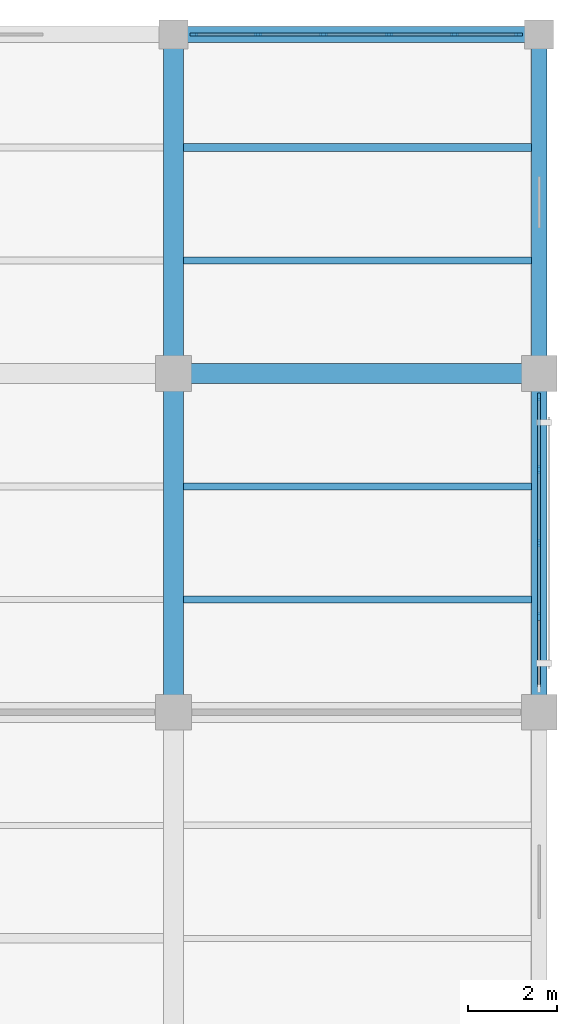
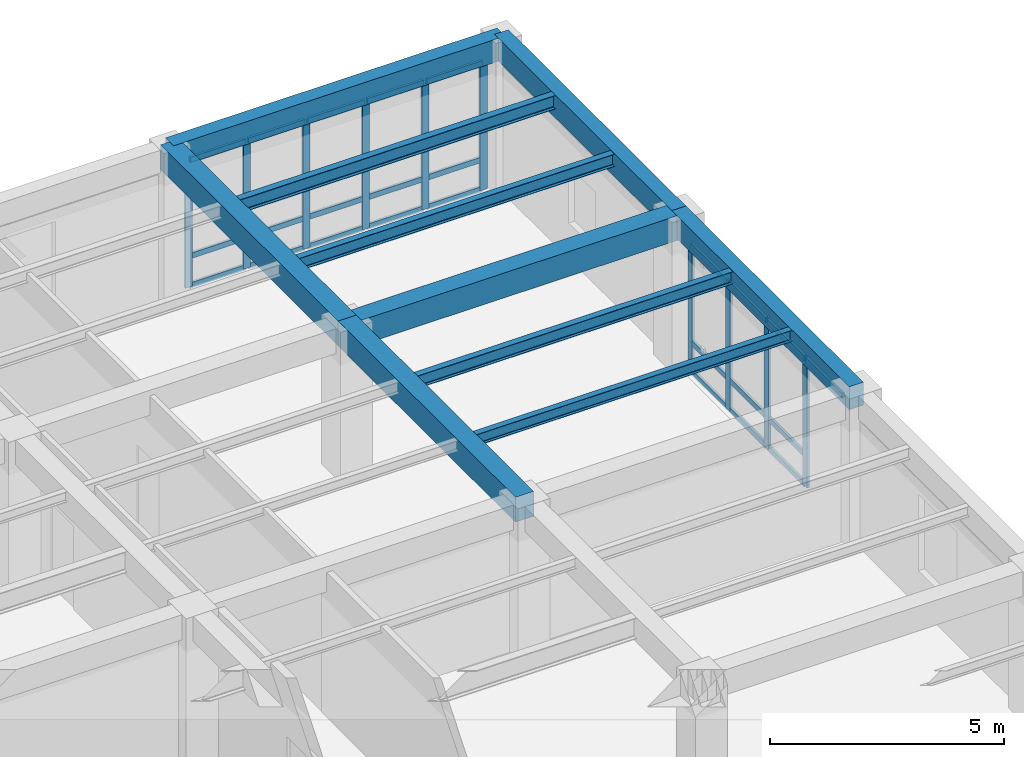
# One storey, part 5 of 13: 35 members, 10 beams, 2 elements without a shape of their own.
"""IFC4 building model written with IfcOpenShell, lengths in metres."""

import ifcopenshell
import ifcopenshell.guid

model = None  # the IFC model being written
_history = None  # IfcOwnerHistory: only IFC2X3 demands one
_inside = {}  # id of a spatial element -> (the spatial element, [elements in it])
_under = {}  # id of a project, library or spatial element -> (it, [spatial elements below it])
_declared = {}  # id of a project -> (the project, [libraries it declares])
_typed = {}  # id of a type object -> (the type object, [elements of that type])
_made_of = {}  # id of a material, layer set ... -> (it, [elements and type objects made of it])


def new_model(schema):
    """Start an empty IFC model of exactly this schema.

    Asked for "IFC4X3", IfcOpenShell would pick the latest addendum, in which some entities
    have other attributes; the version numbers below select the first issue.
    IFC2X3 requires an IfcOwnerHistory on every rooted entity: one is made here for all.
    """
    global model, _history
    if schema == "IFC4X3":
        model = ifcopenshell.file(schema_version=(4, 3, 0, 0))
    else:
        model = ifcopenshell.file(schema=schema)
    _inside.clear()
    _under.clear()
    _declared.clear()
    _typed.clear()
    _made_of.clear()
    _history = None
    if model.schema == "IFC2X3":
        org = make("IfcOrganization", Name="unknown")
        user = make(
            "IfcPersonAndOrganization",
            ThePerson=make("IfcPerson", FamilyName="unknown"),
            TheOrganization=org,
        )
        app = make(
            "IfcApplication",
            ApplicationDeveloper=org,
            Version="unknown",
            ApplicationFullName="unknown",
            ApplicationIdentifier="unknown",
        )
        _history = make(
            "IfcOwnerHistory",
            OwningUser=user,
            OwningApplication=app,
            ChangeAction="ADDED",
            CreationDate=0,
        )
    return model


def make(cls, **values):
    """One entity of the class cls with the attributes given. An attribute that is None is left unset."""
    return model.create_entity(
        cls, **{name: value for name, value in values.items() if value is not None}
    )


def rooted(cls, **values):
    """An entity with a GlobalId (a new one), such as an element, a storey or a relation."""
    return make(cls, GlobalId=ifcopenshell.guid.new(), OwnerHistory=_history, **values)


def si_unit(unit_type, name, prefix=None):
    """IfcSIUnit, for example si_unit("LENGTHUNIT", "METRE", prefix="MILLI")."""
    return make("IfcSIUnit", UnitType=unit_type, Prefix=prefix, Name=name)


def assignment(units):
    """IfcUnitAssignment: the units of a project."""
    return None if units is None else make("IfcUnitAssignment", Units=units)


def point(xyz):
    """IfcCartesianPoint."""
    return None if xyz is None else make("IfcCartesianPoint", Coordinates=xyz)


def direction(xyz):
    """IfcDirection."""
    return None if xyz is None else make("IfcDirection", DirectionRatios=xyz)


def frame(location, z_axis=None, x_axis=None):
    """IfcAxis2Placement3D, a coordinate frame: its origin and axes. An axis left out is left unset."""
    return make(
        "IfcAxis2Placement3D",
        Location=point(location),
        Axis=direction(z_axis),
        RefDirection=direction(x_axis),
    )


def frame_2d(location, x_axis=None):
    """IfcAxis2Placement2D, a coordinate frame in the plane: its origin and x axis."""
    return make(
        "IfcAxis2Placement2D", Location=point(location), RefDirection=direction(x_axis)
    )


def origin():
    """The frame at (0, 0, 0) with its axes left unset."""
    return frame((0.0, 0.0, 0.0))


def origin_2d():
    """The frame at (0, 0) in the plane with its x axis left unset."""
    return frame_2d((0.0, 0.0))


def place(relative_to, where):
    """IfcLocalPlacement: puts the frame where relative to a parent placement (None: the world)."""
    return make(
        "IfcLocalPlacement", PlacementRelTo=relative_to, RelativePlacement=where
    )


def context(
    kind, dimensions, precision=None, world=None, true_north=None, identifier=None
):
    """IfcGeometricRepresentationContext, for example the 3D "Model" context."""
    return make(
        "IfcGeometricRepresentationContext",
        ContextIdentifier=identifier,
        ContextType=kind,
        CoordinateSpaceDimension=dimensions,
        Precision=precision,
        WorldCoordinateSystem=world,
        TrueNorth=true_north,
    )


def subcontext(parent, identifier, kind, view, scale=None):
    """IfcGeometricRepresentationSubContext, for example "Body" below "Model"."""
    return make(
        "IfcGeometricRepresentationSubContext",
        ContextIdentifier=identifier,
        ContextType=kind,
        ParentContext=parent,
        TargetScale=scale,
        TargetView=view,
    )


def project(units=None, contexts=None):
    """IfcProject with its units and contexts."""
    return rooted(
        "IfcProject",
        Name="project",
        RepresentationContexts=contexts,
        UnitsInContext=assignment(units),
    )


def spatial(cls, under=None, at=None, **own):
    """A site, building, storey or space (cls), placed at a placement, below another one or the project."""
    s = rooted(cls, ObjectPlacement=at, **own)
    if under is not None:
        _under.setdefault(under.id(), (under, []))[1].append(s)
    return s


def profile(cls, at=None, kind="AREA", **sizes):
    """A parametric profile (cls). Its sizes go by their IFC names, for example OverallWidth=200.0."""
    return make(cls, ProfileType=kind, Position=at, **sizes)


def rectangle(**sizes):
    """IfcRectangleProfileDef."""
    return profile("IfcRectangleProfileDef", **sizes)


def i_section(**sizes):
    """IfcIShapeProfileDef."""
    return profile("IfcIShapeProfileDef", **sizes)


def extrude(swept, where, along, depth):
    """IfcExtrudedAreaSolid: the profile swept, set in the frame where, extruded along a direction by depth."""
    return make(
        "IfcExtrudedAreaSolid",
        SweptArea=swept,
        Position=where,
        ExtrudedDirection=direction(along),
        Depth=depth,
    )


def shape(context_of_items, identifier, shape_type, items):
    """IfcShapeRepresentation: the items that make up one representation, for example the "Body"."""
    return make(
        "IfcShapeRepresentation",
        ContextOfItems=context_of_items,
        RepresentationIdentifier=identifier,
        RepresentationType=shape_type,
        Items=items,
    )


def material(Name=None, Category=None):
    """IfcMaterial."""
    return make("IfcMaterial", Name=Name, Category=Category)


def material_profile(
    of_material, cross_section, Name=None, Category=None, Priority=None
):
    """IfcMaterialProfile: a cross section and its material."""
    return make(
        "IfcMaterialProfile",
        Name=Name,
        Material=of_material,
        Profile=cross_section,
        Priority=Priority,
        Category=Category,
    )


def profile_set(profiles, Name=None, composite=None):
    """IfcMaterialProfileSet."""
    return make(
        "IfcMaterialProfileSet",
        Name=Name,
        MaterialProfiles=profiles,
        CompositeProfile=composite,
    )


def made_of(thing, what):
    """Note that an element or type object is made of a material, layer set ...; save() writes the relation."""
    if what is not None:
        _made_of.setdefault(what.id(), (what, []))[1].append(thing)
    return thing


def type_object(cls, material=None, **own):
    """A type object (cls), such as IfcWallType, which elements share."""
    return made_of(rooted(cls, **own), material)


def element(
    cls,
    number,
    at=None,
    inside=None,
    cuts=None,
    type_object=None,
    material=None,
    context=None,
    identifier="Body",
    shape_type=None,
    held_by="IfcProductDefinitionShape",
    body=None,
    shapes=None,
    **own,
):
    """One element of the class cls, such as IfcWall. Its Tag is "e" and its number.

    at: its placement. inside: the storey or other place that contains it. cuts: it is an
    opening in that element (IfcRelVoidsElement). A single representation is given by context,
    identifier, shape_type and body (its items); several are given by shapes. held_by: the class
    of the entity that holds the representations. save() writes the other relations.
    """
    e = rooted(cls, Tag="e%d" % number, ObjectPlacement=at, **own)
    if body is not None:
        shapes = [shape(context, identifier, shape_type, body)]
    if shapes is not None:
        e.Representation = make(held_by, Representations=shapes)
    if inside is not None:
        _inside.setdefault(inside.id(), (inside, []))[1].append(e)
    if cuts is not None:
        rooted(
            "IfcRelVoidsElement", RelatingBuildingElement=cuts, RelatedOpeningElement=e
        )
    if type_object is not None:
        _typed.setdefault(type_object.id(), (type_object, []))[1].append(e)
    return made_of(e, material)


def aggregate(whole, parts):
    """IfcRelAggregates: a whole, such as a stair, and the parts it consists of."""
    return rooted("IfcRelAggregates", RelatingObject=whole, RelatedObjects=parts)


def save(model, path):
    """Write the relations noted so far, then the file.

    IfcRelAggregates (storeys below a building ...), IfcRelContainedInSpatialStructure (elements
    in a storey), IfcRelDefinesByType, IfcRelAssociatesMaterial and IfcRelDeclares: one each for
    every whole, place, type object, material and project.
    """
    for whole, parts in _under.values():
        aggregate(whole, parts)
    for where, things in _inside.values():
        rooted(
            "IfcRelContainedInSpatialStructure",
            RelatedElements=things,
            RelatingStructure=where,
        )
    for kind, things in _typed.values():
        rooted("IfcRelDefinesByType", RelatedObjects=things, RelatingType=kind)
    for what, things in _made_of.values():
        rooted("IfcRelAssociatesMaterial", RelatedObjects=things, RelatingMaterial=what)
    for by, libraries in _declared.values():
        rooted("IfcRelDeclares", RelatingContext=by, RelatedDefinitions=libraries)
    model.write(path)


model = new_model("IFC4")

# Units and contexts
model_context = context("Model", 3, precision=1e-05, world=origin(), true_north=direction((0.0, 1.0)))
body_context = subcontext(model_context, "Body", "Model", "MODEL_VIEW")
ifc_project = project(units=[si_unit("LENGTHUNIT", "METRE"), si_unit("AREAUNIT", "SQUARE_METRE"), si_unit("VOLUMEUNIT", "CUBIC_METRE"), si_unit("PLANEANGLEUNIT", "RADIAN"), si_unit("MASSUNIT", "GRAM", prefix="KILO")], contexts=[model_context])

# Site, building, storey
site_placement = place(None, origin())
site = spatial("IfcSite", under=ifc_project, at=site_placement, CompositionType="ELEMENT")
building_placement = place(site_placement, origin())
building = spatial("IfcBuilding", under=site, at=building_placement, Name="Qandaris Square Conservatory and Botanical Centre", CompositionType="ELEMENT")
storey_placement = place(building_placement, frame((0.0, 0.0, 45.0)))
storey = spatial("IfcBuildingStorey", under=building, at=storey_placement, Name="L10", CompositionType="ELEMENT", Elevation=45.0)

# Beams
ifc_material_1 = material(Name="Steel S355", Category="steel")
ifc_material_profile_1 = material_profile(ifc_material_1, i_section(OverallWidth=0.14990234375, OverallDepth=0.300048828125, WebThickness=0.007080078125, FlangeThickness=0.0107421875, FilletRadius=0.014892578125, at=origin_2d()), Name="IPE 300")
ifc_profile_set_1 = profile_set([ifc_material_profile_1], Name="Steel S355")
beam_type_1 = type_object("IfcBeamType", Name="Composite Lab Joist IPE 300", PredefinedType="JOIST", material=ifc_profile_set_1)
beam_1_placement = place(storey_placement, frame((155.824951171875, 57.13330078125, 3.7900390625), z_axis=(1.0, 0.0, 0.0), x_axis=(0.0, 1.0, 0.0)))
element("IfcBeam", 1, at=beam_1_placement, inside=storey, type_object=beam_type_1, Name="L10 Composite Joist 2539", PredefinedType="JOIST", context=body_context, shape_type="SweptSolid", body=[
    extrude(i_section(OverallWidth=0.14990234375, OverallDepth=0.300048828125, WebThickness=0.007080078125, FlangeThickness=0.0107421875, FilletRadius=0.014892578125, at=origin_2d()), origin(), (0.0, 0.0, 1.0), 7.800048828125),
])
ifc_material_profile_2 = material_profile(ifc_material_1, i_section(OverallWidth=0.159912109375, OverallDepth=0.330078125, WebThickness=0.007568359375, FlangeThickness=0.011474609375, FilletRadius=0.01806640625, at=origin_2d()), Name="IPE 330")
ifc_profile_set_2 = profile_set([ifc_material_profile_2], Name="Steel S355")
beam_type_2 = type_object("IfcBeamType", Name="Composite Lab Joist IPE 330", PredefinedType="JOIST", material=ifc_profile_set_2)
for number, where, z_axis, x_axis, name in (
    (2, (155.824951171875, 59.666748046875, 3.77490234375), (1.0, 0.0, 0.0), (0.0, 1.0, 0.0), "L10 Composite Joist 2540"),
    (3, (155.824951171875, 64.7333984375, 3.77490234375), (1.0, 0.0, 0.0), (0.0, 1.0, 0.0), "L10 Composite Joist 2541"),
):
    element("IfcBeam", number, at=place(storey_placement, frame(where, z_axis=z_axis, x_axis=x_axis)), inside=storey, type_object=beam_type_2, Name=name, PredefinedType="JOIST", context=body_context, shape_type="SweptSolid", body=[
        extrude(i_section(OverallWidth=0.159912109375, OverallDepth=0.330078125, WebThickness=0.007568359375, FlangeThickness=0.011474609375, FilletRadius=0.01806640625, at=origin_2d()), origin(), (0.0, 0.0, 1.0), 7.800048828125),
    ])
ifc_material_profile_3 = material_profile(ifc_material_1, i_section(OverallWidth=0.169921875, OverallDepth=0.360107421875, WebThickness=0.008056640625, FlangeThickness=0.0126953125, FilletRadius=0.01806640625, at=origin_2d()), Name="IPE 360")
ifc_profile_set_3 = profile_set([ifc_material_profile_3], Name="Steel S355")
beam_type_3 = type_object("IfcBeamType", Name="Composite Lab Joist IPE 360", PredefinedType="JOIST", material=ifc_profile_set_3)
beam_2_placement = place(storey_placement, frame((155.824951171875, 67.2666015625, 3.760009765625), z_axis=(1.0, 0.0, 0.0), x_axis=(0.0, 1.0, 0.0)))
element("IfcBeam", 4, at=beam_2_placement, inside=storey, type_object=beam_type_3, Name="L10 Composite Joist 2542", PredefinedType="JOIST", context=body_context, shape_type="SweptSolid", body=[
    extrude(i_section(OverallWidth=0.169921875, OverallDepth=0.360107421875, WebThickness=0.008056640625, FlangeThickness=0.0126953125, FilletRadius=0.01806640625, at=origin_2d()), origin(), (0.0, 0.0, 1.0), 7.800048828125),
])

# Curtain wall, members
ifc_material_2 = material(Name="Anodised Aluminium", Category="aluminium")
curtain_wall_type_1 = type_object("IfcCurtainWallType", Name="Unitised Curtain Wall CW-4-660x335", PredefinedType="USERDEFINED", material=ifc_material_2)
curtain_wall_1_placement = place(storey_placement, origin())
curtain_wall_1 = element("IfcCurtainWall", 5, at=curtain_wall_1_placement, inside=storey, type_object=curtain_wall_type_1, Name="Curtain Wall CW-TWR-L10-2-6", ObjectType="GLAZED CURTAIN WALL", PredefinedType="USERDEFINED")
ifc_material_profile_4 = material_profile(ifc_material_2, rectangle(XDim=0.06494140625, YDim=0.179931640625, at=origin_2d()), Name="ALU-MUL 65x180")
ifc_profile_set_4 = profile_set([ifc_material_profile_4], Name="Anodised Aluminium")
member_type_1 = type_object("IfcMemberType", Name="Curtain Wall Mullion 65x180", PredefinedType="MULLION", material=ifc_profile_set_4)
member_1_placement = place(storey_placement, frame((163.800048828125, 56.75, 0.0), z_axis=(0.0, 0.0, 1.0), x_axis=(-1.0, 0.0, 0.0)))
member_1 = element("IfcMember", 6, at=member_1_placement, type_object=member_type_1, Name="CW-4-660x335 mullion 2", PredefinedType="MULLION", context=body_context, shape_type="SweptSolid", body=[
    extrude(rectangle(XDim=0.06494140625, YDim=0.179931640625, at=origin_2d()), origin(), (0.0, 0.0, 1.0), 3.35009765625),
])
member_2_placement = place(storey_placement, frame((163.800048828125, 58.39990234375, 0.0), z_axis=(0.0, 0.0, 1.0), x_axis=(-1.0, 0.0, 0.0)))
member_2 = element("IfcMember", 7, at=member_2_placement, type_object=member_type_1, Name="CW-4-660x335 mullion 3", PredefinedType="MULLION", context=body_context, shape_type="SweptSolid", body=[
    extrude(rectangle(XDim=0.06494140625, YDim=0.179931640625, at=origin_2d()), origin(), (0.0, 0.0, 1.0), 3.35009765625),
])
member_3_placement = place(storey_placement, frame((163.800048828125, 60.050048828125, 0.0), z_axis=(0.0, 0.0, 1.0), x_axis=(-1.0, 0.0, 0.0)))
member_3 = element("IfcMember", 8, at=member_3_placement, type_object=member_type_1, Name="CW-4-660x335 mullion 4", PredefinedType="MULLION", context=body_context, shape_type="SweptSolid", body=[
    extrude(rectangle(XDim=0.06494140625, YDim=0.179931640625, at=origin_2d()), origin(), (0.0, 0.0, 1.0), 3.35009765625),
])
member_4_placement = place(storey_placement, frame((163.800048828125, 61.66748046875, 0.0), z_axis=(0.0, 0.0, 1.0), x_axis=(-1.0, 0.0, 0.0)))
member_4 = element("IfcMember", 9, at=member_4_placement, type_object=member_type_1, Name="CW-4-660x335 mullion 5", PredefinedType="MULLION", context=body_context, shape_type="SweptSolid", body=[
    extrude(rectangle(XDim=0.06494140625, YDim=0.179931640625, at=origin_2d()), origin(), (0.0, 0.0, 1.0), 3.35009765625),
])

curtain_wall_type_2 = type_object("IfcCurtainWallType", Name="Unitised Curtain Wall CW-3-735x335", PredefinedType="USERDEFINED", material=ifc_material_2)
curtain_wall_2_placement = place(storey_placement, origin())
curtain_wall_2 = element("IfcCurtainWall", 10, at=curtain_wall_2_placement, inside=storey, type_object=curtain_wall_type_2, Name="Curtain Wall CW-TWR-L10-3-1", ObjectType="GLAZED CURTAIN WALL", PredefinedType="USERDEFINED")
member_5_placement = place(storey_placement, frame((163.342529296875, 69.800048828125, 0.0), z_axis=(0.0, 0.0, 1.0), x_axis=(0.0, -1.0, 0.0)))
member_5 = element("IfcMember", 11, at=member_5_placement, type_object=member_type_1, Name="CW-3-735x335 mullion 1", PredefinedType="MULLION", context=body_context, shape_type="SweptSolid", body=[
    extrude(rectangle(XDim=0.06494140625, YDim=0.179931640625, at=origin_2d()), origin(), (0.0, 0.0, 1.0), 3.35009765625),
])
member_6_placement = place(storey_placement, frame((161.905029296875, 69.800048828125, 0.0), z_axis=(0.0, 0.0, 1.0), x_axis=(0.0, -1.0, 0.0)))
member_6 = element("IfcMember", 12, at=member_6_placement, type_object=member_type_1, Name="CW-3-735x335 mullion 2", PredefinedType="MULLION", context=body_context, shape_type="SweptSolid", body=[
    extrude(rectangle(XDim=0.06494140625, YDim=0.179931640625, at=origin_2d()), origin(), (0.0, 0.0, 1.0), 3.35009765625),
])
member_7_placement = place(storey_placement, frame((160.43505859375, 69.800048828125, 0.0), z_axis=(0.0, 0.0, 1.0), x_axis=(0.0, -1.0, 0.0)))
member_7 = element("IfcMember", 13, at=member_7_placement, type_object=member_type_1, Name="CW-3-735x335 mullion 3", PredefinedType="MULLION", context=body_context, shape_type="SweptSolid", body=[
    extrude(rectangle(XDim=0.06494140625, YDim=0.179931640625, at=origin_2d()), origin(), (0.0, 0.0, 1.0), 3.35009765625),
])
member_8_placement = place(storey_placement, frame((158.965087890625, 69.800048828125, 0.0), z_axis=(0.0, 0.0, 1.0), x_axis=(0.0, -1.0, 0.0)))
member_8 = element("IfcMember", 14, at=member_8_placement, type_object=member_type_1, Name="CW-3-735x335 mullion 4", PredefinedType="MULLION", context=body_context, shape_type="SweptSolid", body=[
    extrude(rectangle(XDim=0.06494140625, YDim=0.179931640625, at=origin_2d()), origin(), (0.0, 0.0, 1.0), 3.35009765625),
])
member_9_placement = place(storey_placement, frame((157.4951171875, 69.800048828125, 0.0), z_axis=(0.0, 0.0, 1.0), x_axis=(0.0, -1.0, 0.0)))
member_9 = element("IfcMember", 15, at=member_9_placement, type_object=member_type_1, Name="CW-3-735x335 mullion 5", PredefinedType="MULLION", context=body_context, shape_type="SweptSolid", body=[
    extrude(rectangle(XDim=0.06494140625, YDim=0.179931640625, at=origin_2d()), origin(), (0.0, 0.0, 1.0), 3.35009765625),
])
member_10_placement = place(storey_placement, frame((156.0576171875, 69.800048828125, 0.0), z_axis=(0.0, 0.0, 1.0), x_axis=(0.0, -1.0, 0.0)))
member_10 = element("IfcMember", 16, at=member_10_placement, type_object=member_type_1, Name="CW-3-735x335 mullion 6", PredefinedType="MULLION", context=body_context, shape_type="SweptSolid", body=[
    extrude(rectangle(XDim=0.06494140625, YDim=0.179931640625, at=origin_2d()), origin(), (0.0, 0.0, 1.0), 3.35009765625),
])

# Member
ifc_material_profile_5 = material_profile(ifc_material_2, rectangle(XDim=0.06494140625, YDim=0.139892578125, at=origin_2d()), Name="ALU-TRN 65x140")
ifc_profile_set_5 = profile_set([ifc_material_profile_5], Name="Anodised Aluminium")
member_type_2 = type_object("IfcMemberType", Name="Curtain Wall Transom 65x140", PredefinedType="USERDEFINED", material=ifc_profile_set_5)
member_11_placement = place(storey_placement, frame((163.800048828125, 55.1650390625, 3.3173828125), z_axis=(0.0, 1.0, 0.0), x_axis=(-1.0, 0.0, 0.0)))
member_11 = element("IfcMember", 17, at=member_11_placement, type_object=member_type_2, Name="CW-4-660x335 transom 1.3", ObjectType="TRANSOM", PredefinedType="USERDEFINED", context=body_context, shape_type="SweptSolid", body=[
    extrude(rectangle(XDim=0.06494140625, YDim=0.139892578125, at=origin_2d()), origin(), (0.0, 0.0, 1.0), 1.552490234375),
])

member_12_placement = place(storey_placement, frame((163.800048828125, 56.782470703125, 0.032470703125), z_axis=(0.0, 1.0, 0.0), x_axis=(-1.0, 0.0, 0.0)))
member_12 = element("IfcMember", 18, at=member_12_placement, type_object=member_type_2, Name="CW-4-660x335 transom 2.1", ObjectType="TRANSOM", PredefinedType="USERDEFINED", context=body_context, shape_type="SweptSolid", body=[
    extrude(rectangle(XDim=0.06494140625, YDim=0.139892578125, at=origin_2d()), origin(), (0.0, 0.0, 1.0), 1.5849609375),
])

member_13_placement = place(storey_placement, frame((163.800048828125, 56.782470703125, 0.803955078125), z_axis=(0.0, 1.0, 0.0), x_axis=(-1.0, 0.0, 0.0)))
member_13 = element("IfcMember", 19, at=member_13_placement, type_object=member_type_2, Name="CW-4-660x335 transom 2.2", ObjectType="TRANSOM", PredefinedType="USERDEFINED", context=body_context, shape_type="SweptSolid", body=[
    extrude(rectangle(XDim=0.06494140625, YDim=0.139892578125, at=origin_2d()), origin(), (0.0, 0.0, 1.0), 1.5849609375),
])

member_14_placement = place(storey_placement, frame((163.800048828125, 56.782470703125, 3.3173828125), z_axis=(0.0, 1.0, 0.0), x_axis=(-1.0, 0.0, 0.0)))
member_14 = element("IfcMember", 20, at=member_14_placement, type_object=member_type_2, Name="CW-4-660x335 transom 2.3", ObjectType="TRANSOM", PredefinedType="USERDEFINED", context=body_context, shape_type="SweptSolid", body=[
    extrude(rectangle(XDim=0.06494140625, YDim=0.139892578125, at=origin_2d()), origin(), (0.0, 0.0, 1.0), 1.5849609375),
])

member_15_placement = place(storey_placement, frame((163.800048828125, 58.4326171875, 0.032470703125), z_axis=(0.0, 1.0, 0.0), x_axis=(-1.0, 0.0, 0.0)))
member_15 = element("IfcMember", 21, at=member_15_placement, type_object=member_type_2, Name="CW-4-660x335 transom 3.1", ObjectType="TRANSOM", PredefinedType="USERDEFINED", context=body_context, shape_type="SweptSolid", body=[
    extrude(rectangle(XDim=0.06494140625, YDim=0.139892578125, at=origin_2d()), origin(), (0.0, 0.0, 1.0), 1.5849609375),
])

member_16_placement = place(storey_placement, frame((163.800048828125, 58.4326171875, 0.803955078125), z_axis=(0.0, 1.0, 0.0), x_axis=(-1.0, 0.0, 0.0)))
member_16 = element("IfcMember", 22, at=member_16_placement, type_object=member_type_2, Name="CW-4-660x335 transom 3.2", ObjectType="TRANSOM", PredefinedType="USERDEFINED", context=body_context, shape_type="SweptSolid", body=[
    extrude(rectangle(XDim=0.06494140625, YDim=0.139892578125, at=origin_2d()), origin(), (0.0, 0.0, 1.0), 1.5849609375),
])

member_17_placement = place(storey_placement, frame((163.800048828125, 58.4326171875, 3.3173828125), z_axis=(0.0, 1.0, 0.0), x_axis=(-1.0, 0.0, 0.0)))
member_17 = element("IfcMember", 23, at=member_17_placement, type_object=member_type_2, Name="CW-4-660x335 transom 3.3", ObjectType="TRANSOM", PredefinedType="USERDEFINED", context=body_context, shape_type="SweptSolid", body=[
    extrude(rectangle(XDim=0.06494140625, YDim=0.139892578125, at=origin_2d()), origin(), (0.0, 0.0, 1.0), 1.5849609375),
])

member_18_placement = place(storey_placement, frame((163.800048828125, 60.08251953125, 0.032470703125), z_axis=(0.0, 1.0, 0.0), x_axis=(-1.0, 0.0, 0.0)))
member_18 = element("IfcMember", 24, at=member_18_placement, type_object=member_type_2, Name="CW-4-660x335 transom 4.1", ObjectType="TRANSOM", PredefinedType="USERDEFINED", context=body_context, shape_type="SweptSolid", body=[
    extrude(rectangle(XDim=0.06494140625, YDim=0.139892578125, at=origin_2d()), origin(), (0.0, 0.0, 1.0), 1.552490234375),
])

member_19_placement = place(storey_placement, frame((163.800048828125, 60.08251953125, 0.803955078125), z_axis=(0.0, 1.0, 0.0), x_axis=(-1.0, 0.0, 0.0)))
member_19 = element("IfcMember", 25, at=member_19_placement, type_object=member_type_2, Name="CW-4-660x335 transom 4.2", ObjectType="TRANSOM", PredefinedType="USERDEFINED", context=body_context, shape_type="SweptSolid", body=[
    extrude(rectangle(XDim=0.06494140625, YDim=0.139892578125, at=origin_2d()), origin(), (0.0, 0.0, 1.0), 1.552490234375),
])

member_20_placement = place(storey_placement, frame((163.800048828125, 60.08251953125, 3.3173828125), z_axis=(0.0, 1.0, 0.0), x_axis=(-1.0, 0.0, 0.0)))
member_20 = element("IfcMember", 26, at=member_20_placement, type_object=member_type_2, Name="CW-4-660x335 transom 4.3", ObjectType="TRANSOM", PredefinedType="USERDEFINED", context=body_context, shape_type="SweptSolid", body=[
    extrude(rectangle(XDim=0.06494140625, YDim=0.139892578125, at=origin_2d()), origin(), (0.0, 0.0, 1.0), 1.552490234375),
])

aggregate(curtain_wall_1, [member_1, member_2, member_3, member_4, member_11, member_12, member_13, member_14, member_15, member_16, member_17, member_18, member_19, member_20])

member_21_placement = place(storey_placement, frame((163.31005859375, 69.800048828125, 0.032470703125), z_axis=(-1.0, 0.0, 0.0), x_axis=(0.0, -1.0, 0.0)))
member_21 = element("IfcMember", 27, at=member_21_placement, type_object=member_type_2, Name="CW-3-735x335 transom 1.1", ObjectType="TRANSOM", PredefinedType="USERDEFINED", context=body_context, shape_type="SweptSolid", body=[
    extrude(rectangle(XDim=0.06494140625, YDim=0.139892578125, at=origin_2d()), origin(), (0.0, 0.0, 1.0), 1.37255859375),
])

member_22_placement = place(storey_placement, frame((163.31005859375, 69.800048828125, 0.803955078125), z_axis=(-1.0, 0.0, 0.0), x_axis=(0.0, -1.0, 0.0)))
member_22 = element("IfcMember", 28, at=member_22_placement, type_object=member_type_2, Name="CW-3-735x335 transom 1.2", ObjectType="TRANSOM", PredefinedType="USERDEFINED", context=body_context, shape_type="SweptSolid", body=[
    extrude(rectangle(XDim=0.06494140625, YDim=0.139892578125, at=origin_2d()), origin(), (0.0, 0.0, 1.0), 1.37255859375),
])

member_23_placement = place(storey_placement, frame((163.31005859375, 69.800048828125, 3.3173828125), z_axis=(-1.0, 0.0, 0.0), x_axis=(0.0, -1.0, 0.0)))
member_23 = element("IfcMember", 29, at=member_23_placement, type_object=member_type_2, Name="CW-3-735x335 transom 1.3", ObjectType="TRANSOM", PredefinedType="USERDEFINED", context=body_context, shape_type="SweptSolid", body=[
    extrude(rectangle(XDim=0.06494140625, YDim=0.139892578125, at=origin_2d()), origin(), (0.0, 0.0, 1.0), 1.37255859375),
])

member_24_placement = place(storey_placement, frame((161.87255859375, 69.800048828125, 0.032470703125), z_axis=(-1.0, 0.0, 0.0), x_axis=(0.0, -1.0, 0.0)))
member_24 = element("IfcMember", 30, at=member_24_placement, type_object=member_type_2, Name="CW-3-735x335 transom 2.1", ObjectType="TRANSOM", PredefinedType="USERDEFINED", context=body_context, shape_type="SweptSolid", body=[
    extrude(rectangle(XDim=0.06494140625, YDim=0.139892578125, at=origin_2d()), origin(), (0.0, 0.0, 1.0), 1.405029296875),
])

member_25_placement = place(storey_placement, frame((161.87255859375, 69.800048828125, 0.803955078125), z_axis=(-1.0, 0.0, 0.0), x_axis=(0.0, -1.0, 0.0)))
member_25 = element("IfcMember", 31, at=member_25_placement, type_object=member_type_2, Name="CW-3-735x335 transom 2.2", ObjectType="TRANSOM", PredefinedType="USERDEFINED", context=body_context, shape_type="SweptSolid", body=[
    extrude(rectangle(XDim=0.06494140625, YDim=0.139892578125, at=origin_2d()), origin(), (0.0, 0.0, 1.0), 1.405029296875),
])

member_26_placement = place(storey_placement, frame((161.87255859375, 69.800048828125, 3.3173828125), z_axis=(-1.0, 0.0, 0.0), x_axis=(0.0, -1.0, 0.0)))
member_26 = element("IfcMember", 32, at=member_26_placement, type_object=member_type_2, Name="CW-3-735x335 transom 2.3", ObjectType="TRANSOM", PredefinedType="USERDEFINED", context=body_context, shape_type="SweptSolid", body=[
    extrude(rectangle(XDim=0.06494140625, YDim=0.139892578125, at=origin_2d()), origin(), (0.0, 0.0, 1.0), 1.405029296875),
])

member_27_placement = place(storey_placement, frame((160.402587890625, 69.800048828125, 0.032470703125), z_axis=(-1.0, 0.0, 0.0), x_axis=(0.0, -1.0, 0.0)))
member_27 = element("IfcMember", 33, at=member_27_placement, type_object=member_type_2, Name="CW-3-735x335 transom 3.1", ObjectType="TRANSOM", PredefinedType="USERDEFINED", context=body_context, shape_type="SweptSolid", body=[
    extrude(rectangle(XDim=0.06494140625, YDim=0.139892578125, at=origin_2d()), origin(), (0.0, 0.0, 1.0), 1.405029296875),
])

member_28_placement = place(storey_placement, frame((160.402587890625, 69.800048828125, 0.803955078125), z_axis=(-1.0, 0.0, 0.0), x_axis=(0.0, -1.0, 0.0)))
member_28 = element("IfcMember", 34, at=member_28_placement, type_object=member_type_2, Name="CW-3-735x335 transom 3.2", ObjectType="TRANSOM", PredefinedType="USERDEFINED", context=body_context, shape_type="SweptSolid", body=[
    extrude(rectangle(XDim=0.06494140625, YDim=0.139892578125, at=origin_2d()), origin(), (0.0, 0.0, 1.0), 1.405029296875),
])

member_29_placement = place(storey_placement, frame((160.402587890625, 69.800048828125, 3.3173828125), z_axis=(-1.0, 0.0, 0.0), x_axis=(0.0, -1.0, 0.0)))
member_29 = element("IfcMember", 35, at=member_29_placement, type_object=member_type_2, Name="CW-3-735x335 transom 3.3", ObjectType="TRANSOM", PredefinedType="USERDEFINED", context=body_context, shape_type="SweptSolid", body=[
    extrude(rectangle(XDim=0.06494140625, YDim=0.139892578125, at=origin_2d()), origin(), (0.0, 0.0, 1.0), 1.405029296875),
])

member_30_placement = place(storey_placement, frame((158.9326171875, 69.800048828125, 0.032470703125), z_axis=(-1.0, 0.0, 0.0), x_axis=(0.0, -1.0, 0.0)))
member_30 = element("IfcMember", 36, at=member_30_placement, type_object=member_type_2, Name="CW-3-735x335 transom 4.1", ObjectType="TRANSOM", PredefinedType="USERDEFINED", context=body_context, shape_type="SweptSolid", body=[
    extrude(rectangle(XDim=0.06494140625, YDim=0.139892578125, at=origin_2d()), origin(), (0.0, 0.0, 1.0), 1.405029296875),
])

member_31_placement = place(storey_placement, frame((158.9326171875, 69.800048828125, 0.803955078125), z_axis=(-1.0, 0.0, 0.0), x_axis=(0.0, -1.0, 0.0)))
member_31 = element("IfcMember", 37, at=member_31_placement, type_object=member_type_2, Name="CW-3-735x335 transom 4.2", ObjectType="TRANSOM", PredefinedType="USERDEFINED", context=body_context, shape_type="SweptSolid", body=[
    extrude(rectangle(XDim=0.06494140625, YDim=0.139892578125, at=origin_2d()), origin(), (0.0, 0.0, 1.0), 1.405029296875),
])

member_32_placement = place(storey_placement, frame((158.9326171875, 69.800048828125, 3.3173828125), z_axis=(-1.0, 0.0, 0.0), x_axis=(0.0, -1.0, 0.0)))
member_32 = element("IfcMember", 38, at=member_32_placement, type_object=member_type_2, Name="CW-3-735x335 transom 4.3", ObjectType="TRANSOM", PredefinedType="USERDEFINED", context=body_context, shape_type="SweptSolid", body=[
    extrude(rectangle(XDim=0.06494140625, YDim=0.139892578125, at=origin_2d()), origin(), (0.0, 0.0, 1.0), 1.405029296875),
])

member_33_placement = place(storey_placement, frame((157.46240234375, 69.800048828125, 0.032470703125), z_axis=(-1.0, 0.0, 0.0), x_axis=(0.0, -1.0, 0.0)))
member_33 = element("IfcMember", 39, at=member_33_placement, type_object=member_type_2, Name="CW-3-735x335 transom 5.1", ObjectType="TRANSOM", PredefinedType="USERDEFINED", context=body_context, shape_type="SweptSolid", body=[
    extrude(rectangle(XDim=0.06494140625, YDim=0.139892578125, at=origin_2d()), origin(), (0.0, 0.0, 1.0), 1.372314453125),
])

member_34_placement = place(storey_placement, frame((157.46240234375, 69.800048828125, 0.803955078125), z_axis=(-1.0, 0.0, 0.0), x_axis=(0.0, -1.0, 0.0)))
member_34 = element("IfcMember", 40, at=member_34_placement, type_object=member_type_2, Name="CW-3-735x335 transom 5.2", ObjectType="TRANSOM", PredefinedType="USERDEFINED", context=body_context, shape_type="SweptSolid", body=[
    extrude(rectangle(XDim=0.06494140625, YDim=0.139892578125, at=origin_2d()), origin(), (0.0, 0.0, 1.0), 1.372314453125),
])

member_35_placement = place(storey_placement, frame((157.46240234375, 69.800048828125, 3.3173828125), z_axis=(-1.0, 0.0, 0.0), x_axis=(0.0, -1.0, 0.0)))
member_35 = element("IfcMember", 41, at=member_35_placement, type_object=member_type_2, Name="CW-3-735x335 transom 5.3", ObjectType="TRANSOM", PredefinedType="USERDEFINED", context=body_context, shape_type="SweptSolid", body=[
    extrude(rectangle(XDim=0.06494140625, YDim=0.139892578125, at=origin_2d()), origin(), (0.0, 0.0, 1.0), 1.372314453125),
])

aggregate(curtain_wall_2, [member_5, member_6, member_7, member_8, member_9, member_10, member_21, member_22, member_23, member_24, member_25, member_26, member_27, member_28, member_29, member_30, member_31, member_32, member_33, member_34, member_35])

# Beams
ifc_material_3 = material(Name="Concrete C50/60", Category="concrete")
ifc_material_profile_6 = material_profile(ifc_material_3, rectangle(XDim=0.35009765625, YDim=0.60009765625, at=origin_2d()), Name="RC-SP 350x600")
ifc_profile_set_6 = profile_set([ifc_material_profile_6], Name="Concrete C50/60")
beam_type_4 = type_object("IfcBeamType", Name="RC Edge Spandrel Beam 350x600", PredefinedType="SPANDREL", material=ifc_profile_set_6)
beam_3_placement = place(storey_placement, frame((155.60009765625, 69.800048828125, 3.64990234375), z_axis=(1.0, 0.0, 0.0), x_axis=(0.0, 1.0, 0.0)))
element("IfcBeam", 42, at=beam_3_placement, inside=storey, type_object=beam_type_4, Name="L10 Frame Beam 2462", PredefinedType="SPANDREL", context=body_context, shape_type="SweptSolid", body=[
    extrude(rectangle(XDim=0.35009765625, YDim=0.60009765625, at=origin_2d()), origin(), (0.0, 0.0, 1.0), 8.199951171875),
])
beam_4_placement = place(storey_placement, frame((163.800048828125, 54.60009765625, 3.64990234375), z_axis=(0.0, 1.0, 0.0), x_axis=(-1.0, 0.0, 0.0)))
element("IfcBeam", 43, at=beam_4_placement, inside=storey, type_object=beam_type_4, Name="L10 Frame Beam 2495", PredefinedType="SPANDREL", context=body_context, shape_type="SweptSolid", body=[
    extrude(rectangle(XDim=0.35009765625, YDim=0.60009765625, at=origin_2d()), origin(), (0.0, 0.0, 1.0), 7.599853515625),
])
beam_5_placement = place(storey_placement, frame((163.800048828125, 62.199951171875, 3.64990234375), z_axis=(0.0, 1.0, 0.0), x_axis=(-1.0, 0.0, 0.0)))
element("IfcBeam", 44, at=beam_5_placement, inside=storey, type_object=beam_type_4, Name="L10 Frame Beam 2496", PredefinedType="SPANDREL", context=body_context, shape_type="SweptSolid", body=[
    extrude(rectangle(XDim=0.35009765625, YDim=0.60009765625, at=origin_2d()), origin(), (0.0, 0.0, 1.0), 7.60009765625),
])
ifc_material_profile_7 = material_profile(ifc_material_3, rectangle(XDim=0.449951171875, YDim=0.64990234375, at=origin_2d()), Name="RC-BM 450x650")
ifc_profile_set_7 = profile_set([ifc_material_profile_7], Name="Concrete C50/60")
beam_type_5 = type_object("IfcBeamType", Name="RC Floor Girder 450x650", PredefinedType="BEAM", material=ifc_profile_set_7)
beam_6_placement = place(storey_placement, frame((155.60009765625, 62.199951171875, 3.625), z_axis=(1.0, 0.0, 0.0), x_axis=(0.0, 1.0, 0.0)))
element("IfcBeam", 45, at=beam_6_placement, inside=storey, type_object=beam_type_5, Name="L10 Frame Beam 2459", PredefinedType="BEAM", context=body_context, shape_type="SweptSolid", body=[
    extrude(rectangle(XDim=0.449951171875, YDim=0.64990234375, at=origin_2d()), origin(), (0.0, 0.0, 1.0), 8.199951171875),
])
beam_7_placement = place(storey_placement, frame((155.60009765625, 54.60009765625, 3.625), z_axis=(0.0, 1.0, 0.0), x_axis=(-1.0, 0.0, 0.0)))
element("IfcBeam", 46, at=beam_7_placement, inside=storey, type_object=beam_type_5, Name="L10 Frame Beam 2488", PredefinedType="BEAM", context=body_context, shape_type="SweptSolid", body=[
    extrude(rectangle(XDim=0.449951171875, YDim=0.64990234375, at=origin_2d()), origin(), (0.0, 0.0, 1.0), 7.599853515625),
])
beam_8_placement = place(storey_placement, frame((155.60009765625, 62.199951171875, 3.625), z_axis=(0.0, 1.0, 0.0), x_axis=(-1.0, 0.0, 0.0)))
element("IfcBeam", 47, at=beam_8_placement, inside=storey, type_object=beam_type_5, Name="L10 Frame Beam 2489", PredefinedType="BEAM", context=body_context, shape_type="SweptSolid", body=[
    extrude(rectangle(XDim=0.449951171875, YDim=0.64990234375, at=origin_2d()), origin(), (0.0, 0.0, 1.0), 7.60009765625),
])

save(model, "model.ifc")
